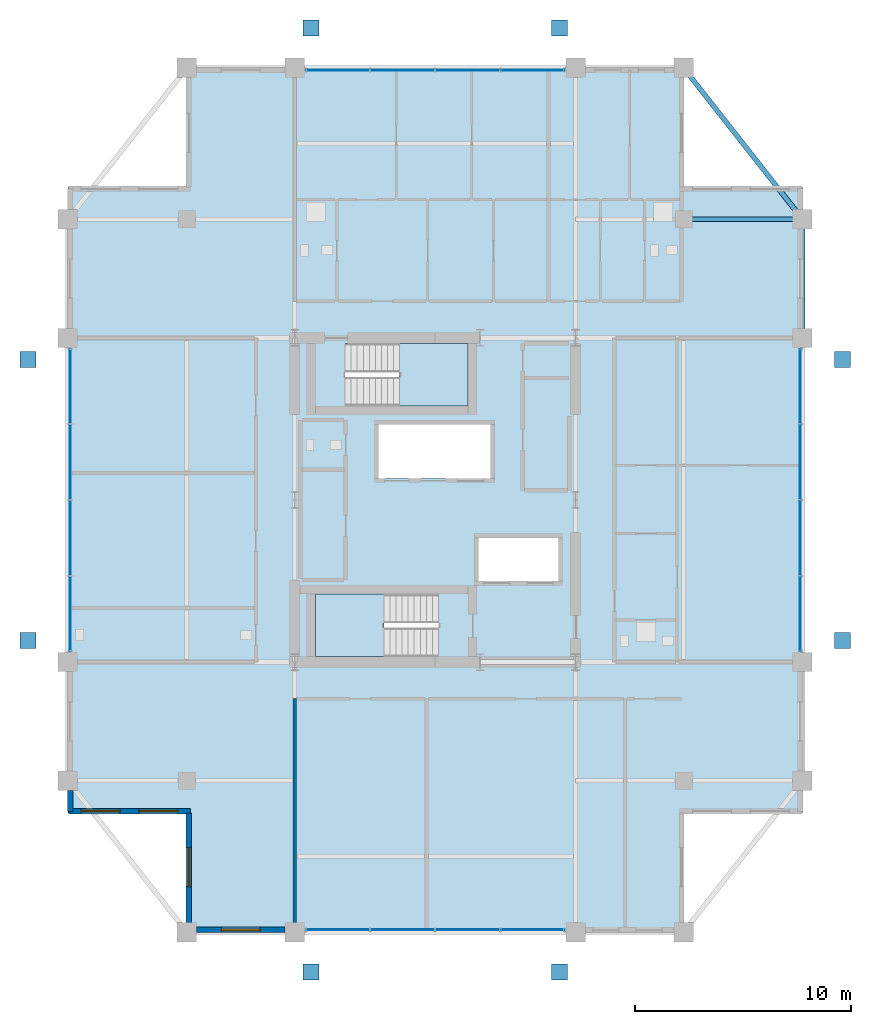
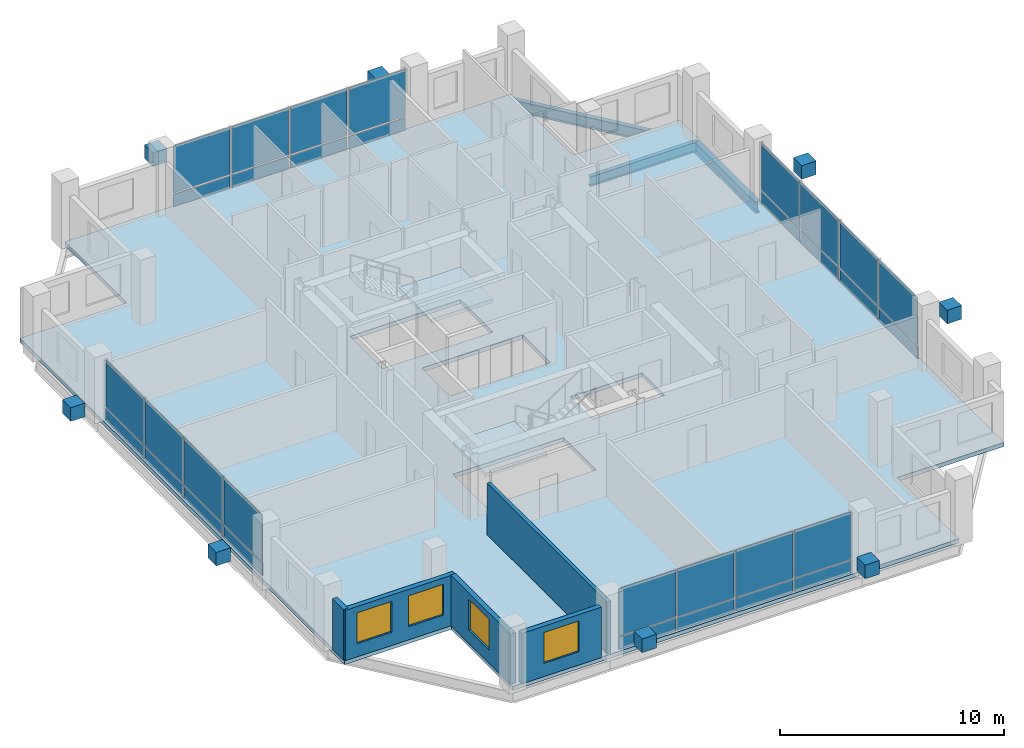
# One storey, part 15 of 21: 40 plates, 5 walls, 4 windows, 3 beams, 3 slabs, 4 openings, 6 elements without a shape of their own.
"""IFC4 building model written with IfcOpenShell, lengths in metres."""

from ifc_helpers import new_model, si_unit, direction, frame, frame_2d, origin, origin_2d, place, context, subcontext, project, spatial, polyline, rectangle, i_section, outline, extrude, material, layer, layer_set, material_profile, profile_set, type_object, element, fill, aggregate, save


model = new_model("IFC4")

# Units and contexts
model_context = context("Model", 3, precision=1e-05, world=origin(), true_north=direction((0.0, 1.0)))
body_context = subcontext(model_context, "Body", "Model", "MODEL_VIEW")
ifc_project = project(units=[si_unit("LENGTHUNIT", "METRE"), si_unit("AREAUNIT", "SQUARE_METRE"), si_unit("VOLUMEUNIT", "CUBIC_METRE"), si_unit("PLANEANGLEUNIT", "RADIAN"), si_unit("MASSUNIT", "GRAM", prefix="KILO")], contexts=[model_context])

# Site, building, storey
site_placement = place(None, origin())
site = spatial("IfcSite", under=ifc_project, at=site_placement, CompositionType="ELEMENT")
building_placement = place(site_placement, origin())
building = spatial("IfcBuilding", under=site, at=building_placement, Name="Barlavira Tower and Art Museum", CompositionType="ELEMENT")
storey_placement = place(building_placement, frame((0.0, 0.0, 276.300048828125)))
storey = spatial("IfcBuildingStorey", under=building, at=storey_placement, Name="L72", CompositionType="ELEMENT", Elevation=276.300048828125)

# Beams
ifc_material_1 = material(Name="Steel S355", Category="steel")
ifc_material_profile_1 = material_profile(ifc_material_1, i_section(OverallWidth=0.22998046875, OverallDepth=0.616943359375, WebThickness=0.01318359375, FlangeThickness=0.022216796875, at=origin_2d()), Name="W610x140.0")
ifc_profile_set_1 = profile_set([ifc_material_profile_1], Name="Steel S355")
beam_type_1 = type_object("IfcBeamType", Name="Upper Shaft Spandrel Edge Beam W610x140 Steel S355", PredefinedType="SPANDREL", material=ifc_profile_set_1)
beam_1_placement = place(storey_placement, frame((17.0, 7.5, -0.528564453125), z_axis=(0.0, 1.0, 0.0), x_axis=(-1.0, 0.0, 0.0)))
element("IfcBeam", 1, at=beam_1_placement, inside=storey, type_object=beam_type_1, Name="L72 Spandrel 7", PredefinedType="SPANDREL", context=body_context, shape_type="SweptSolid", body=[
    extrude(i_section(OverallWidth=0.22998046875, OverallDepth=0.616943359375, WebThickness=0.01318359375, FlangeThickness=0.022216796875, at=origin_2d()), origin(), (0.0, 0.0, 1.0), 5.5),
])
beam_2_placement = place(storey_placement, frame((17.0, 13.0, -0.528564453125), z_axis=(-0.617821551932, 0.786318338822, 0.0), x_axis=(-0.786318338822, -0.617821551932, 0.0)))
element("IfcBeam", 2, at=beam_2_placement, inside=storey, type_object=beam_type_1, Name="L72 Spandrel 8", PredefinedType="SPANDREL", context=body_context, shape_type="SweptSolid", body=[
    extrude(i_section(OverallWidth=0.22998046875, OverallDepth=0.616943359375, WebThickness=0.01318359375, FlangeThickness=0.022216796875, at=origin_2d()), origin(), (0.0, 0.0, 1.0), 8.90234375),
])
ifc_material_profile_2 = material_profile(ifc_material_1, i_section(OverallWidth=0.2109375, OverallDepth=0.5390625, WebThickness=0.01171875, FlangeThickness=0.018798828125, at=origin_2d()), Name="W530x109.0")
ifc_profile_set_2 = profile_set([ifc_material_profile_2], Name="Steel S355")
beam_type_2 = type_object("IfcBeamType", Name="Zone 3-4 Primary Floor Girder W530x109 Steel S355", PredefinedType="BEAM", material=ifc_profile_set_2)
beam_3_placement = place(storey_placement, frame((11.5, 13.0, -0.489501953125), z_axis=(1.0, 0.0, 0.0), x_axis=(0.0, 1.0, 0.0)))
element("IfcBeam", 3, at=beam_3_placement, inside=storey, type_object=beam_type_2, Name="L72 Girder I-N4", PredefinedType="BEAM", context=body_context, shape_type="SweptSolid", body=[
    extrude(i_section(OverallWidth=0.2109375, OverallDepth=0.5390625, WebThickness=0.01171875, FlangeThickness=0.018798828125, at=origin_2d()), origin(), (0.0, 0.0, 1.0), 5.5),
])

# Curtain wall, plates
ifc_material_2 = material(Name="Low-iron coastal laminated glass", Category="glass")
ifc_layer_1 = layer(ifc_material_2, 0.2099609375, Name="Low-iron coastal laminated glass")
ifc_layer_set_1 = layer_set([ifc_layer_1], Name="Low-iron coastal laminated glass")
curtain_wall_type = type_object("IfcCurtainWallType", Name="Pale-Metal Unitised Curtain Wall Zone 4", PredefinedType="NOTDEFINED", material=ifc_layer_set_1)
curtain_wall_1_placement = place(storey_placement, origin())
curtain_wall_1 = element("IfcCurtainWall", 4, at=curtain_wall_1_placement, inside=storey, type_object=curtain_wall_type, Name="L72 Curtain Wall CW4-L72-S-B2", PredefinedType="NOTDEFINED")
ifc_material_3 = material(Name="Pale anodised aluminium", Category="aluminium")
ifc_layer_2 = layer(ifc_material_3, 0.044921875, Name="Pale anodised aluminium")
ifc_layer_set_2 = layer_set([ifc_layer_2], Name="Pale anodised aluminium")
plate_type_1 = type_object("IfcPlateType", Name="Curtain Wall Pale-Metal Spandrel Panel 45", PredefinedType="CURTAIN_PANEL", material=ifc_layer_set_2)
plate_1_placement = place(storey_placement, frame((-4.5224609375, -19.89990234375, 0.0400390625), z_axis=(0.0, 0.0, 1.0), x_axis=(1.0, 0.0, 0.0)))
plate_1 = element("IfcPlate", 5, at=plate_1_placement, type_object=plate_type_1, Name="CW4-L72-S-B2 Spandrel Panel 0", PredefinedType="CURTAIN_PANEL", context=body_context, shape_type="SweptSolid", body=[
    extrude(rectangle(XDim=2.9150390625, YDim=0.044921875, at=origin_2d()), origin(), (0.0, 0.0, 1.0), 0.6640625),
])
plate_2_placement = place(storey_placement, frame((-1.507568359375, -19.89990234375, 0.0400390625), z_axis=(0.0, 0.0, 1.0), x_axis=(1.0, 0.0, 0.0)))
plate_2 = element("IfcPlate", 6, at=plate_2_placement, type_object=plate_type_1, Name="CW4-L72-S-B2 Spandrel Panel 1", PredefinedType="CURTAIN_PANEL", context=body_context, shape_type="SweptSolid", body=[
    extrude(rectangle(XDim=2.9150390625, YDim=0.044921875, at=origin_2d()), origin(), (0.0, 0.0, 1.0), 0.6640625),
])
plate_3_placement = place(storey_placement, frame((1.507568359375, -19.89990234375, 0.0400390625), z_axis=(0.0, 0.0, 1.0), x_axis=(1.0, 0.0, 0.0)))
plate_3 = element("IfcPlate", 7, at=plate_3_placement, type_object=plate_type_1, Name="CW4-L72-S-B2 Spandrel Panel 2", PredefinedType="CURTAIN_PANEL", context=body_context, shape_type="SweptSolid", body=[
    extrude(rectangle(XDim=2.9150390625, YDim=0.044921875, at=origin_2d()), origin(), (0.0, 0.0, 1.0), 0.6640625),
])
plate_4_placement = place(storey_placement, frame((4.5224609375, -19.89990234375, 0.0400390625), z_axis=(0.0, 0.0, 1.0), x_axis=(1.0, 0.0, 0.0)))
plate_4 = element("IfcPlate", 8, at=plate_4_placement, type_object=plate_type_1, Name="CW4-L72-S-B2 Spandrel Panel 3", PredefinedType="CURTAIN_PANEL", context=body_context, shape_type="SweptSolid", body=[
    extrude(rectangle(XDim=2.9150390625, YDim=0.044921875, at=origin_2d()), origin(), (0.0, 0.0, 1.0), 0.6640625),
])

curtain_wall_2_placement = place(storey_placement, origin())
curtain_wall_2 = element("IfcCurtainWall", 9, at=curtain_wall_2_placement, inside=storey, type_object=curtain_wall_type, Name="L72 Curtain Wall CW4-L72-N-B2", PredefinedType="NOTDEFINED")
plate_5_placement = place(storey_placement, frame((4.5224609375, 19.89990234375, 0.0400390625), z_axis=(0.0, 0.0, 1.0), x_axis=(-1.0, 0.0, 0.0)))
plate_5 = element("IfcPlate", 10, at=plate_5_placement, type_object=plate_type_1, Name="CW4-L72-N-B2 Spandrel Panel 0", PredefinedType="CURTAIN_PANEL", context=body_context, shape_type="SweptSolid", body=[
    extrude(rectangle(XDim=2.9150390625, YDim=0.044921875, at=origin_2d()), origin(), (0.0, 0.0, 1.0), 0.6640625),
])
plate_6_placement = place(storey_placement, frame((1.507568359375, 19.89990234375, 0.0400390625), z_axis=(0.0, 0.0, 1.0), x_axis=(-1.0, 0.0, 0.0)))
plate_6 = element("IfcPlate", 11, at=plate_6_placement, type_object=plate_type_1, Name="CW4-L72-N-B2 Spandrel Panel 1", PredefinedType="CURTAIN_PANEL", context=body_context, shape_type="SweptSolid", body=[
    extrude(rectangle(XDim=2.9150390625, YDim=0.044921875, at=origin_2d()), origin(), (0.0, 0.0, 1.0), 0.6640625),
])
plate_7_placement = place(storey_placement, frame((-1.507568359375, 19.89990234375, 0.0400390625), z_axis=(0.0, 0.0, 1.0), x_axis=(-1.0, 0.0, 0.0)))
plate_7 = element("IfcPlate", 12, at=plate_7_placement, type_object=plate_type_1, Name="CW4-L72-N-B2 Spandrel Panel 2", PredefinedType="CURTAIN_PANEL", context=body_context, shape_type="SweptSolid", body=[
    extrude(rectangle(XDim=2.9150390625, YDim=0.044921875, at=origin_2d()), origin(), (0.0, 0.0, 1.0), 0.6640625),
])
plate_8_placement = place(storey_placement, frame((-4.5224609375, 19.89990234375, 0.0400390625), z_axis=(0.0, 0.0, 1.0), x_axis=(-1.0, 0.0, 0.0)))
plate_8 = element("IfcPlate", 13, at=plate_8_placement, type_object=plate_type_1, Name="CW4-L72-N-B2 Spandrel Panel 3", PredefinedType="CURTAIN_PANEL", context=body_context, shape_type="SweptSolid", body=[
    extrude(rectangle(XDim=2.9150390625, YDim=0.044921875, at=origin_2d()), origin(), (0.0, 0.0, 1.0), 0.6640625),
])

curtain_wall_3_placement = place(storey_placement, origin())
curtain_wall_3 = element("IfcCurtainWall", 14, at=curtain_wall_3_placement, inside=storey, type_object=curtain_wall_type, Name="L72 Curtain Wall CW4-L72-W-B3", PredefinedType="NOTDEFINED")
plate_9_placement = place(storey_placement, frame((-16.89990234375, 5.2724609375, 0.0400390625), z_axis=(0.0, 0.0, 1.0), x_axis=(0.0, -1.0, 0.0)))
plate_9 = element("IfcPlate", 15, at=plate_9_placement, type_object=plate_type_1, Name="CW4-L72-W-B3 Spandrel Panel 0", PredefinedType="CURTAIN_PANEL", context=body_context, shape_type="SweptSolid", body=[
    extrude(rectangle(XDim=3.4150390625, YDim=0.044921875, at=origin_2d()), origin(), (0.0, 0.0, 1.0), 0.6640625),
])
plate_10_placement = place(storey_placement, frame((-16.89990234375, 1.757568359375, 0.0400390625), z_axis=(0.0, 0.0, 1.0), x_axis=(0.0, -1.0, 0.0)))
plate_10 = element("IfcPlate", 16, at=plate_10_placement, type_object=plate_type_1, Name="CW4-L72-W-B3 Spandrel Panel 1", PredefinedType="CURTAIN_PANEL", context=body_context, shape_type="SweptSolid", body=[
    extrude(rectangle(XDim=3.4150390625, YDim=0.044921875, at=origin_2d()), origin(), (0.0, 0.0, 1.0), 0.6640625),
])
plate_11_placement = place(storey_placement, frame((-16.89990234375, -1.757568359375, 0.0400390625), z_axis=(0.0, 0.0, 1.0), x_axis=(0.0, -1.0, 0.0)))
plate_11 = element("IfcPlate", 17, at=plate_11_placement, type_object=plate_type_1, Name="CW4-L72-W-B3 Spandrel Panel 2", PredefinedType="CURTAIN_PANEL", context=body_context, shape_type="SweptSolid", body=[
    extrude(rectangle(XDim=3.4150390625, YDim=0.044921875, at=origin_2d()), origin(), (0.0, 0.0, 1.0), 0.6640625),
])
plate_12_placement = place(storey_placement, frame((-16.89990234375, -5.2724609375, 0.0400390625), z_axis=(0.0, 0.0, 1.0), x_axis=(0.0, -1.0, 0.0)))
plate_12 = element("IfcPlate", 18, at=plate_12_placement, type_object=plate_type_1, Name="CW4-L72-W-B3 Spandrel Panel 3", PredefinedType="CURTAIN_PANEL", context=body_context, shape_type="SweptSolid", body=[
    extrude(rectangle(XDim=3.4150390625, YDim=0.044921875, at=origin_2d()), origin(), (0.0, 0.0, 1.0), 0.6640625),
])

curtain_wall_4_placement = place(storey_placement, origin())
curtain_wall_4 = element("IfcCurtainWall", 19, at=curtain_wall_4_placement, inside=storey, type_object=curtain_wall_type, Name="L72 Curtain Wall CW4-L72-E-B3", PredefinedType="NOTDEFINED")
plate_13_placement = place(storey_placement, frame((16.89990234375, -5.2724609375, 0.0400390625), z_axis=(0.0, 0.0, 1.0), x_axis=(0.0, 1.0, 0.0)))
plate_13 = element("IfcPlate", 20, at=plate_13_placement, type_object=plate_type_1, Name="CW4-L72-E-B3 Spandrel Panel 0", PredefinedType="CURTAIN_PANEL", context=body_context, shape_type="SweptSolid", body=[
    extrude(rectangle(XDim=3.4150390625, YDim=0.044921875, at=origin_2d()), origin(), (0.0, 0.0, 1.0), 0.6640625),
])
plate_14_placement = place(storey_placement, frame((16.89990234375, -1.757568359375, 0.0400390625), z_axis=(0.0, 0.0, 1.0), x_axis=(0.0, 1.0, 0.0)))
plate_14 = element("IfcPlate", 21, at=plate_14_placement, type_object=plate_type_1, Name="CW4-L72-E-B3 Spandrel Panel 1", PredefinedType="CURTAIN_PANEL", context=body_context, shape_type="SweptSolid", body=[
    extrude(rectangle(XDim=3.4150390625, YDim=0.044921875, at=origin_2d()), origin(), (0.0, 0.0, 1.0), 0.6640625),
])
plate_15_placement = place(storey_placement, frame((16.89990234375, 1.757568359375, 0.0400390625), z_axis=(0.0, 0.0, 1.0), x_axis=(0.0, 1.0, 0.0)))
plate_15 = element("IfcPlate", 22, at=plate_15_placement, type_object=plate_type_1, Name="CW4-L72-E-B3 Spandrel Panel 2", PredefinedType="CURTAIN_PANEL", context=body_context, shape_type="SweptSolid", body=[
    extrude(rectangle(XDim=3.4150390625, YDim=0.044921875, at=origin_2d()), origin(), (0.0, 0.0, 1.0), 0.6640625),
])
plate_16_placement = place(storey_placement, frame((16.89990234375, 5.2724609375, 0.0400390625), z_axis=(0.0, 0.0, 1.0), x_axis=(0.0, 1.0, 0.0)))
plate_16 = element("IfcPlate", 23, at=plate_16_placement, type_object=plate_type_1, Name="CW4-L72-E-B3 Spandrel Panel 3", PredefinedType="CURTAIN_PANEL", context=body_context, shape_type="SweptSolid", body=[
    extrude(rectangle(XDim=3.4150390625, YDim=0.044921875, at=origin_2d()), origin(), (0.0, 0.0, 1.0), 0.6640625),
])

# Plate
ifc_layer_3 = layer(ifc_material_2, 0.028076171875, Name="Low-iron coastal laminated glass")
ifc_layer_set_3 = layer_set([ifc_layer_3], Name="Low-iron coastal laminated glass")
plate_type_2 = type_object("IfcPlateType", Name="Curtain Wall Vision Glazing Panel 28", PredefinedType="CURTAIN_PANEL", material=ifc_layer_set_3)
plate_17_placement = place(storey_placement, frame((-4.5224609375, -19.89990234375, 0.7841796875), z_axis=(0.0, 0.0, 1.0), x_axis=(1.0, 0.0, 0.0)))
plate_17 = element("IfcPlate", 24, at=plate_17_placement, type_object=plate_type_2, Name="CW4-L72-S-B2 Vision Glass Panel 0", PredefinedType="CURTAIN_PANEL", context=body_context, shape_type="SweptSolid", body=[
    extrude(rectangle(XDim=2.9150390625, YDim=0.028076171875, at=origin_2d()), origin(), (0.0, 0.0, 1.0), 2.555908203125),
])

plate_18_placement = place(storey_placement, frame((-1.507568359375, -19.89990234375, 0.7841796875), z_axis=(0.0, 0.0, 1.0), x_axis=(1.0, 0.0, 0.0)))
plate_18 = element("IfcPlate", 25, at=plate_18_placement, type_object=plate_type_2, Name="CW4-L72-S-B2 Vision Glass Panel 1", PredefinedType="CURTAIN_PANEL", context=body_context, shape_type="SweptSolid", body=[
    extrude(rectangle(XDim=2.9150390625, YDim=0.028076171875, at=origin_2d()), origin(), (0.0, 0.0, 1.0), 2.555908203125),
])

plate_19_placement = place(storey_placement, frame((1.507568359375, -19.89990234375, 0.7841796875), z_axis=(0.0, 0.0, 1.0), x_axis=(1.0, 0.0, 0.0)))
plate_19 = element("IfcPlate", 26, at=plate_19_placement, type_object=plate_type_2, Name="CW4-L72-S-B2 Vision Glass Panel 2", PredefinedType="CURTAIN_PANEL", context=body_context, shape_type="SweptSolid", body=[
    extrude(rectangle(XDim=2.9150390625, YDim=0.028076171875, at=origin_2d()), origin(), (0.0, 0.0, 1.0), 2.555908203125),
])

plate_20_placement = place(storey_placement, frame((4.5224609375, -19.89990234375, 0.7841796875), z_axis=(0.0, 0.0, 1.0), x_axis=(1.0, 0.0, 0.0)))
plate_20 = element("IfcPlate", 27, at=plate_20_placement, type_object=plate_type_2, Name="CW4-L72-S-B2 Vision Glass Panel 3", PredefinedType="CURTAIN_PANEL", context=body_context, shape_type="SweptSolid", body=[
    extrude(rectangle(XDim=2.9150390625, YDim=0.028076171875, at=origin_2d()), origin(), (0.0, 0.0, 1.0), 2.555908203125),
])

aggregate(curtain_wall_1, [plate_1, plate_17, plate_2, plate_18, plate_3, plate_19, plate_4, plate_20])

plate_21_placement = place(storey_placement, frame((4.5224609375, 19.89990234375, 0.7841796875), z_axis=(0.0, 0.0, 1.0), x_axis=(-1.0, 0.0, 0.0)))
plate_21 = element("IfcPlate", 28, at=plate_21_placement, type_object=plate_type_2, Name="CW4-L72-N-B2 Vision Glass Panel 0", PredefinedType="CURTAIN_PANEL", context=body_context, shape_type="SweptSolid", body=[
    extrude(rectangle(XDim=2.9150390625, YDim=0.028076171875, at=origin_2d()), origin(), (0.0, 0.0, 1.0), 2.555908203125),
])

plate_22_placement = place(storey_placement, frame((1.507568359375, 19.89990234375, 0.7841796875), z_axis=(0.0, 0.0, 1.0), x_axis=(-1.0, 0.0, 0.0)))
plate_22 = element("IfcPlate", 29, at=plate_22_placement, type_object=plate_type_2, Name="CW4-L72-N-B2 Vision Glass Panel 1", PredefinedType="CURTAIN_PANEL", context=body_context, shape_type="SweptSolid", body=[
    extrude(rectangle(XDim=2.9150390625, YDim=0.028076171875, at=origin_2d()), origin(), (0.0, 0.0, 1.0), 2.555908203125),
])

plate_23_placement = place(storey_placement, frame((-1.507568359375, 19.89990234375, 0.7841796875), z_axis=(0.0, 0.0, 1.0), x_axis=(-1.0, 0.0, 0.0)))
plate_23 = element("IfcPlate", 30, at=plate_23_placement, type_object=plate_type_2, Name="CW4-L72-N-B2 Vision Glass Panel 2", PredefinedType="CURTAIN_PANEL", context=body_context, shape_type="SweptSolid", body=[
    extrude(rectangle(XDim=2.9150390625, YDim=0.028076171875, at=origin_2d()), origin(), (0.0, 0.0, 1.0), 2.555908203125),
])

plate_24_placement = place(storey_placement, frame((-4.5224609375, 19.89990234375, 0.7841796875), z_axis=(0.0, 0.0, 1.0), x_axis=(-1.0, 0.0, 0.0)))
plate_24 = element("IfcPlate", 31, at=plate_24_placement, type_object=plate_type_2, Name="CW4-L72-N-B2 Vision Glass Panel 3", PredefinedType="CURTAIN_PANEL", context=body_context, shape_type="SweptSolid", body=[
    extrude(rectangle(XDim=2.9150390625, YDim=0.028076171875, at=origin_2d()), origin(), (0.0, 0.0, 1.0), 2.555908203125),
])

aggregate(curtain_wall_2, [plate_5, plate_21, plate_6, plate_22, plate_7, plate_23, plate_8, plate_24])

plate_25_placement = place(storey_placement, frame((-16.89990234375, 5.2724609375, 0.7841796875), z_axis=(0.0, 0.0, 1.0), x_axis=(0.0, -1.0, 0.0)))
plate_25 = element("IfcPlate", 32, at=plate_25_placement, type_object=plate_type_2, Name="CW4-L72-W-B3 Vision Glass Panel 0", PredefinedType="CURTAIN_PANEL", context=body_context, shape_type="SweptSolid", body=[
    extrude(rectangle(XDim=3.4150390625, YDim=0.028076171875, at=origin_2d()), origin(), (0.0, 0.0, 1.0), 2.555908203125),
])

plate_26_placement = place(storey_placement, frame((-16.89990234375, 1.757568359375, 0.7841796875), z_axis=(0.0, 0.0, 1.0), x_axis=(0.0, -1.0, 0.0)))
plate_26 = element("IfcPlate", 33, at=plate_26_placement, type_object=plate_type_2, Name="CW4-L72-W-B3 Vision Glass Panel 1", PredefinedType="CURTAIN_PANEL", context=body_context, shape_type="SweptSolid", body=[
    extrude(rectangle(XDim=3.4150390625, YDim=0.028076171875, at=origin_2d()), origin(), (0.0, 0.0, 1.0), 2.555908203125),
])

plate_27_placement = place(storey_placement, frame((-16.89990234375, -1.757568359375, 0.7841796875), z_axis=(0.0, 0.0, 1.0), x_axis=(0.0, -1.0, 0.0)))
plate_27 = element("IfcPlate", 34, at=plate_27_placement, type_object=plate_type_2, Name="CW4-L72-W-B3 Vision Glass Panel 2", PredefinedType="CURTAIN_PANEL", context=body_context, shape_type="SweptSolid", body=[
    extrude(rectangle(XDim=3.4150390625, YDim=0.028076171875, at=origin_2d()), origin(), (0.0, 0.0, 1.0), 2.555908203125),
])

plate_28_placement = place(storey_placement, frame((-16.89990234375, -5.2724609375, 0.7841796875), z_axis=(0.0, 0.0, 1.0), x_axis=(0.0, -1.0, 0.0)))
plate_28 = element("IfcPlate", 35, at=plate_28_placement, type_object=plate_type_2, Name="CW4-L72-W-B3 Vision Glass Panel 3", PredefinedType="CURTAIN_PANEL", context=body_context, shape_type="SweptSolid", body=[
    extrude(rectangle(XDim=3.4150390625, YDim=0.028076171875, at=origin_2d()), origin(), (0.0, 0.0, 1.0), 2.555908203125),
])

aggregate(curtain_wall_3, [plate_9, plate_25, plate_10, plate_26, plate_11, plate_27, plate_12, plate_28])

plate_29_placement = place(storey_placement, frame((16.89990234375, -5.2724609375, 0.7841796875), z_axis=(0.0, 0.0, 1.0), x_axis=(0.0, 1.0, 0.0)))
plate_29 = element("IfcPlate", 36, at=plate_29_placement, type_object=plate_type_2, Name="CW4-L72-E-B3 Vision Glass Panel 0", PredefinedType="CURTAIN_PANEL", context=body_context, shape_type="SweptSolid", body=[
    extrude(rectangle(XDim=3.4150390625, YDim=0.028076171875, at=origin_2d()), origin(), (0.0, 0.0, 1.0), 2.555908203125),
])

plate_30_placement = place(storey_placement, frame((16.89990234375, -1.757568359375, 0.7841796875), z_axis=(0.0, 0.0, 1.0), x_axis=(0.0, 1.0, 0.0)))
plate_30 = element("IfcPlate", 37, at=plate_30_placement, type_object=plate_type_2, Name="CW4-L72-E-B3 Vision Glass Panel 1", PredefinedType="CURTAIN_PANEL", context=body_context, shape_type="SweptSolid", body=[
    extrude(rectangle(XDim=3.4150390625, YDim=0.028076171875, at=origin_2d()), origin(), (0.0, 0.0, 1.0), 2.555908203125),
])

plate_31_placement = place(storey_placement, frame((16.89990234375, 1.757568359375, 0.7841796875), z_axis=(0.0, 0.0, 1.0), x_axis=(0.0, 1.0, 0.0)))
plate_31 = element("IfcPlate", 38, at=plate_31_placement, type_object=plate_type_2, Name="CW4-L72-E-B3 Vision Glass Panel 2", PredefinedType="CURTAIN_PANEL", context=body_context, shape_type="SweptSolid", body=[
    extrude(rectangle(XDim=3.4150390625, YDim=0.028076171875, at=origin_2d()), origin(), (0.0, 0.0, 1.0), 2.555908203125),
])

plate_32_placement = place(storey_placement, frame((16.89990234375, 5.2724609375, 0.7841796875), z_axis=(0.0, 0.0, 1.0), x_axis=(0.0, 1.0, 0.0)))
plate_32 = element("IfcPlate", 39, at=plate_32_placement, type_object=plate_type_2, Name="CW4-L72-E-B3 Vision Glass Panel 3", PredefinedType="CURTAIN_PANEL", context=body_context, shape_type="SweptSolid", body=[
    extrude(rectangle(XDim=3.4150390625, YDim=0.028076171875, at=origin_2d()), origin(), (0.0, 0.0, 1.0), 2.555908203125),
])

aggregate(curtain_wall_4, [plate_13, plate_29, plate_14, plate_30, plate_15, plate_31, plate_16, plate_32])

# Plates
ifc_layer_4 = layer(ifc_material_1, 0.739990234375, Name="Steel S355")
ifc_layer_set_4 = layer_set([ifc_layer_4], Name="Steel S355")
plate_type_3 = type_object("IfcPlateType", Name="Exoskeleton Solid Steel Node Cap Plate Assembly Type 4 Steel S355", PredefinedType="USERDEFINED", material=ifc_layer_set_4)
for number, where, z_axis, x_axis, name in (
    (40, (-5.75, -21.85009765625, 1.31005859375), (0.0, 0.0, 1.0), (1.0, 0.0, 0.0), "Exoskeleton Diamond Node S1 ND-L72-0800"),
    (41, (5.75, -21.85009765625, 1.31005859375), (0.0, 0.0, 1.0), (1.0, 0.0, 0.0), "Exoskeleton Diamond Node S2 ND-L72-0801"),
    (42, (-5.75, 21.85009765625, 1.31005859375), (0.0, 0.0, 1.0), (1.0, 0.0, 0.0), "Exoskeleton Diamond Node N1 ND-L72-0808"),
    (43, (5.75, 21.85009765625, 1.31005859375), (0.0, 0.0, 1.0), (1.0, 0.0, 0.0), "Exoskeleton Diamond Node N2 ND-L72-0809"),
    (44, (-18.85009765625, -6.5, 1.31005859375), (0.0, 0.0, 1.0), (1.0, 0.0, 0.0), "Exoskeleton Diamond Node W1 ND-L72-0816"),
    (45, (-18.85009765625, 6.5, 1.31005859375), (0.0, 0.0, 1.0), (1.0, 0.0, 0.0), "Exoskeleton Diamond Node W2 ND-L72-0817"),
    (46, (18.85009765625, -6.5, 1.31005859375), (0.0, 0.0, 1.0), (1.0, 0.0, 0.0), "Exoskeleton Diamond Node E1 ND-L72-0824"),
    (47, (18.85009765625, 6.5, 1.31005859375), (0.0, 0.0, 1.0), (1.0, 0.0, 0.0), "Exoskeleton Diamond Node E2 ND-L72-0825"),
):
    element("IfcPlate", number, at=place(storey_placement, frame(where, z_axis=z_axis, x_axis=x_axis)), inside=storey, type_object=plate_type_3, Name=name, ObjectType="FLANGE_PLATE", PredefinedType="USERDEFINED", context=body_context, shape_type="SweptSolid", body=[
        extrude(rectangle(XDim=0.739990234375, YDim=0.739990234375, at=origin_2d()), origin(), (0.0, 0.0, 1.0), 0.739990234375),
    ])

# Stair, slab
ifc_material_4 = material(Name="Concrete C45", Category="concrete")
stair_type_1 = type_object("IfcStairType", Name="Tower North Dog-Leg Exit Stair Assembly Concrete C45", PredefinedType="TWO_QUARTER_TURN_STAIR", material=ifc_material_4)
stair_1_placement = place(storey_placement, origin())
stair_1 = element("IfcStair", 48, at=stair_1_placement, inside=storey, type_object=stair_type_1, Name="L72 Tower North Exit Stair ST-T2", PredefinedType="TWO_QUARTER_TURN_STAIR")
ifc_layer_5 = layer(ifc_material_4, 0.199951171875, Name="Concrete C45")
ifc_layer_set_5 = layer_set([ifc_layer_5], Name="Concrete C45")
slab_type_1 = type_object("IfcSlabType", Name="Tower North Dog-Leg Exit Stair Half-Landing Slab 200 Concrete C45", PredefinedType="LANDING", material=ifc_layer_set_5)
slab_1_placement = place(storey_placement, frame((0.0, 0.0, 1.599853515625)))
slab_1 = element("IfcSlab", 49, at=slab_1_placement, type_object=slab_type_1, Name="ST-T2 landing 1", PredefinedType="LANDING", context=body_context, shape_type="SweptSolid", body=[
    extrude(outline(polyline([(-1.64990234375, 4.35009765625), (1.530029296875, 4.35009765625), (1.530029296875, 7.25), (-1.64990234375, 7.25), (-1.64990234375, 4.35009765625)])), origin(), (0.0, 0.0, 1.0), 0.2001953125),
])
aggregate(stair_1, [slab_1])

stair_type_2 = type_object("IfcStairType", Name="Tower South Dog-Leg Exit Stair Assembly Concrete C45", PredefinedType="TWO_QUARTER_TURN_STAIR", material=ifc_material_4)
stair_2_placement = place(storey_placement, origin())
stair_2 = element("IfcStair", 50, at=stair_2_placement, inside=storey, type_object=stair_type_2, Name="L72 Tower South Exit Stair ST-T1", PredefinedType="TWO_QUARTER_TURN_STAIR")
ifc_layer_6 = layer(ifc_material_4, 0.199951171875, Name="Concrete C45")
ifc_layer_set_6 = layer_set([ifc_layer_6], Name="Concrete C45")
slab_type_2 = type_object("IfcSlabType", Name="Tower South Dog-Leg Exit Stair Half-Landing Slab 200 Concrete C45", PredefinedType="LANDING", material=ifc_layer_set_6)
slab_2_placement = place(storey_placement, frame((0.0, 0.0, 1.599853515625)))
slab_2 = element("IfcSlab", 51, at=slab_2_placement, type_object=slab_type_2, Name="ST-T1 landing 1", PredefinedType="LANDING", context=body_context, shape_type="SweptSolid", body=[
    extrude(outline(polyline([(-2.3701171875, -4.35009765625), (-5.550048828125, -4.35009765625), (-5.550048828125, -7.25), (-2.3701171875, -7.25), (-2.3701171875, -4.35009765625)])), origin(), (0.0, 0.0, 1.0), 0.2001953125),
])
aggregate(stair_2, [slab_2])

# Slab
ifc_material_5 = material(Name="Concrete C50", Category="concrete")
ifc_layer_7 = layer(ifc_material_5, 0.18994140625, Name="Concrete C50")
ifc_layer_set_7 = layer_set([ifc_layer_7], Name="Concrete C50")
slab_type_3 = type_object("IfcSlabType", Name="Zone 4 Residential Composite Slab 190 Concrete C50", PredefinedType="FLOOR", material=ifc_layer_set_7)
slab_3_placement = place(storey_placement, frame((0.0, 0.0, -0.219970703125)))
element("IfcSlab", 52, at=slab_3_placement, inside=storey, type_object=slab_type_3, Name="L72 Tower Floor Slab", PredefinedType="FLOOR", context=body_context, shape_type="SweptSolid", body=[
    extrude(outline(polyline([(-11.5, -20.0), (11.5, -20.0), (11.5, -14.5), (17.0, -14.5), (17.0, 14.5), (11.5, 14.5), (11.5, 20.0), (-11.5, 20.0), (-11.5, 14.5), (-17.0, 14.5), (-17.0, -14.5), (-11.5, -14.5), (-11.5, -20.0)]), holes=[polyline([(0.14990234375, -4.35009765625), (-5.550048828125, -4.35009765625), (-5.550048828125, -7.25), (0.14990234375, -7.25), (0.14990234375, -4.35009765625)]), polyline([(-4.169921875, 4.35009765625), (1.530029296875, 4.35009765625), (1.530029296875, 7.25), (-4.169921875, 7.25), (-4.169921875, 4.35009765625)]), polyline([(-2.6201171875, 1.0), (2.56005859375, 1.0), (2.56005859375, 3.5), (-2.6201171875, 3.5), (-2.6201171875, 1.0)]), polyline([(2.0, -3.75), (5.699951171875, -3.75), (5.699951171875, -1.75), (2.0, -1.75), (2.0, -3.75)])]), origin(), (0.0, 0.0, 1.0), 0.219970703125),
])

# Wall
ifc_material_6 = material(Name="Gypsum acoustic stud partition", Category="gypsum")
ifc_layer_8 = layer(ifc_material_6, 0.179931640625, Name="Gypsum acoustic stud partition")
ifc_layer_set_8 = layer_set([ifc_layer_8], Name="Gypsum acoustic stud partition")
wall_type_1 = type_object("IfcWallType", Name="Inter-Tenancy Party Partition Wall 180", PredefinedType="PARTITIONING", material=ifc_layer_set_8)
wall_1_placement = place(storey_placement, frame((-6.5, -19.89990234375, 0.0), z_axis=(0.0, 0.0, 1.0), x_axis=(0.0, 1.0, 0.0)))
element("IfcWall", 53, at=wall_1_placement, inside=storey, type_object=wall_type_1, Name="L72 Partition Wall 2", PredefinedType="PARTITIONING", context=body_context, shape_type="SweptSolid", body=[
    extrude(rectangle(XDim=10.699951171875, YDim=0.179931640625, at=frame_2d((5.35009765625, 0.0))), origin(), (0.0, 0.0, 1.0), 2.825927734375),
])

# Wall, opening, window
ifc_material_7 = material(Name="Precast concrete C40", Category="concrete")
ifc_layer_9 = layer(ifc_material_7, 0.25, Name="Precast concrete C40")
ifc_layer_set_9 = layer_set([ifc_layer_9], Name="Precast concrete C40")
wall_type_2 = type_object("IfcWallType", Name="Notched Corner Spandrel Wall 250 Precast Concrete C40", PredefinedType="SOLIDWALL", material=ifc_layer_set_9)
wall_2_placement = place(storey_placement, frame((-11.054931640625, -19.89990234375, 0.0), z_axis=(0.0, 0.0, 1.0), x_axis=(1.0, 0.0, 0.0)))
wall_2 = element("IfcWall", 54, at=wall_2_placement, inside=storey, type_object=wall_type_2, Name="L72 Coastal Facade Pier Wall CW4-L72-S-1", PredefinedType="SOLIDWALL", context=body_context, shape_type="SweptSolid", body=[
    extrude(rectangle(XDim=4.10986328125, YDim=0.25, at=frame_2d((2.054931640625, 0.0))), origin(), (0.0, 0.0, 1.0), 2.748046875),
])
opening_1_placement = place(wall_2_placement, frame((1.155029296875, 0.0, 0.719970703125)))
opening_1 = element("IfcOpeningElement", 55, at=opening_1_placement, cuts=wall_2, Name="Opening WN-01", PredefinedType="OPENING", context=body_context, shape_type="SweptSolid", body=[
    extrude(rectangle(XDim=1.800048828125, YDim=1.679931640625, at=frame_2d((0.89990234375, 0.83984375))), frame((0.0, 0.135009765625, 0.0), z_axis=(0.0, -1.0, 0.0), x_axis=(1.0, 0.0, 0.0)), (0.0, 0.0, 1.0), 0.27001953125),
])
window_type = type_object("IfcWindowType", Name="Recessed Notch Corner Punch Window 1800x1680", PartitioningType="SINGLE_PANEL", PredefinedType="WINDOW", material=ifc_material_2)
window_1_placement = place(opening_1_placement, origin())
window_1 = element("IfcWindow", 56, at=window_1_placement, inside=storey, type_object=window_type, Name="L72 Punched Facade Window EWP-CW4-L72-S-1-1", OverallHeight=1.679931640625, OverallWidth=1.800048828125, PartitioningType="SINGLE_PANEL", PredefinedType="WINDOW", context=body_context, shape_type="SweptSolid", body=[
    extrude(rectangle(XDim=1.800048828125, YDim=1.679931640625, at=frame_2d((0.89990234375, 0.83984375))), frame((0.0, 0.030029296875, 0.0), z_axis=(0.0, -1.0, 0.0), x_axis=(1.0, 0.0, 0.0)), (0.0, 0.0, 1.0), 0.06005859375),
])
fill(opening_1, window_1)

# Wall
wall_3_placement = place(storey_placement, frame((-16.89990234375, -13.445068359375, 0.0), z_axis=(0.0, 0.0, 1.0), x_axis=(0.0, -1.0, 0.0)))
element("IfcWall", 57, at=wall_3_placement, inside=storey, type_object=wall_type_2, Name="L72 Coastal Facade Pier Wall CW4-L72-W-5", PredefinedType="SOLIDWALL", context=body_context, shape_type="SweptSolid", body=[
    extrude(rectangle(XDim=0.97998046875, YDim=0.25, at=frame_2d((0.489990234375, 0.0))), origin(), (0.0, 0.0, 1.0), 2.748046875),
])

# Wall, openings, windows
wall_4_placement = place(storey_placement, frame((-16.97998046875, -14.39990234375, 0.0), z_axis=(0.0, 0.0, 1.0), x_axis=(1.0, 0.0, 0.0)))
wall_4 = element("IfcWall", 58, at=wall_4_placement, inside=storey, type_object=wall_type_2, Name="L72 Notch Corner Wall SW1", PredefinedType="SOLIDWALL", context=body_context, shape_type="SweptSolid", body=[
    extrude(rectangle(XDim=5.659912109375, YDim=0.25, at=frame_2d((2.830078125, 0.0))), origin(), (0.0, 0.0, 1.0), 2.748046875),
])
opening_2_placement = place(wall_4_placement, frame((0.594970703125, 0.0, 0.719970703125)))
opening_2 = element("IfcOpeningElement", 59, at=opening_2_placement, cuts=wall_4, Name="Opening WN-01", PredefinedType="OPENING", context=body_context, shape_type="SweptSolid", body=[
    extrude(rectangle(XDim=1.800048828125, YDim=1.679931640625, at=frame_2d((0.89990234375, 0.83984375))), frame((0.0, 0.135009765625, 0.0), z_axis=(0.0, -1.0, 0.0), x_axis=(1.0, 0.0, 0.0)), (0.0, 0.0, 1.0), 0.27001953125),
])
opening_3_placement = place(wall_4_placement, frame((3.264892578125, 0.0, 0.719970703125)))
opening_3 = element("IfcOpeningElement", 60, at=opening_3_placement, cuts=wall_4, Name="Opening WN-01", PredefinedType="OPENING", context=body_context, shape_type="SweptSolid", body=[
    extrude(rectangle(XDim=1.800048828125, YDim=1.679931640625, at=frame_2d((0.89990234375, 0.83984375))), frame((0.0, 0.135009765625, 0.0), z_axis=(0.0, -1.0, 0.0), x_axis=(1.0, 0.0, 0.0)), (0.0, 0.0, 1.0), 0.27001953125),
])
window_2_placement = place(opening_2_placement, origin())
window_2 = element("IfcWindow", 61, at=window_2_placement, inside=storey, type_object=window_type, Name="L72 Punched Facade Window EW-NTC-L72-SW1-1", OverallHeight=1.679931640625, OverallWidth=1.800048828125, PartitioningType="SINGLE_PANEL", PredefinedType="WINDOW", context=body_context, shape_type="SweptSolid", body=[
    extrude(rectangle(XDim=1.800048828125, YDim=1.679931640625, at=frame_2d((0.89990234375, 0.83984375))), frame((0.0, 0.030029296875, 0.0), z_axis=(0.0, -1.0, 0.0), x_axis=(1.0, 0.0, 0.0)), (0.0, 0.0, 1.0), 0.06005859375),
])
fill(opening_2, window_2)
window_3_placement = place(opening_3_placement, origin())
window_3 = element("IfcWindow", 62, at=window_3_placement, inside=storey, type_object=window_type, Name="L72 Punched Facade Window EW-NTC-L72-SW1-2", OverallHeight=1.679931640625, OverallWidth=1.800048828125, PartitioningType="SINGLE_PANEL", PredefinedType="WINDOW", context=body_context, shape_type="SweptSolid", body=[
    extrude(rectangle(XDim=1.800048828125, YDim=1.679931640625, at=frame_2d((0.89990234375, 0.83984375))), frame((0.0, 0.030029296875, 0.0), z_axis=(0.0, -1.0, 0.0), x_axis=(1.0, 0.0, 0.0)), (0.0, 0.0, 1.0), 0.06005859375),
])
fill(opening_3, window_3)

# Wall, opening, window
wall_5_placement = place(storey_placement, frame((-11.39990234375, -14.47998046875, 0.0), z_axis=(0.0, 0.0, 1.0), x_axis=(0.0, -1.0, 0.0)))
wall_5 = element("IfcWall", 63, at=wall_5_placement, inside=storey, type_object=wall_type_2, Name="L72 Notch Corner Wall SW2", PredefinedType="SOLIDWALL", context=body_context, shape_type="SweptSolid", body=[
    extrude(rectangle(XDim=5.340087890625, YDim=0.25, at=frame_2d((2.669921875, 0.0))), origin(), (0.0, 0.0, 1.0), 2.748046875),
])
opening_4_placement = place(wall_5_placement, frame((1.614990234375, 0.0, 0.719970703125)))
opening_4 = element("IfcOpeningElement", 64, at=opening_4_placement, cuts=wall_5, Name="Opening WN-01", PredefinedType="OPENING", context=body_context, shape_type="SweptSolid", body=[
    extrude(rectangle(XDim=1.800048828125, YDim=1.679931640625, at=frame_2d((0.89990234375, 0.83984375))), frame((0.0, 0.135009765625, 0.0), z_axis=(0.0, -1.0, 0.0), x_axis=(1.0, 0.0, 0.0)), (0.0, 0.0, 1.0), 0.27001953125),
])
window_4_placement = place(opening_4_placement, origin())
window_4 = element("IfcWindow", 65, at=window_4_placement, inside=storey, type_object=window_type, Name="L72 Punched Facade Window EW-NTC-L72-SW2-1", OverallHeight=1.679931640625, OverallWidth=1.800048828125, PartitioningType="SINGLE_PANEL", PredefinedType="WINDOW", context=body_context, shape_type="SweptSolid", body=[
    extrude(rectangle(XDim=1.800048828125, YDim=1.679931640625, at=frame_2d((0.89990234375, 0.83984375))), frame((0.0, 0.030029296875, 0.0), z_axis=(0.0, -1.0, 0.0), x_axis=(1.0, 0.0, 0.0)), (0.0, 0.0, 1.0), 0.06005859375),
])
fill(opening_4, window_4)

save(model, "model.ifc")
